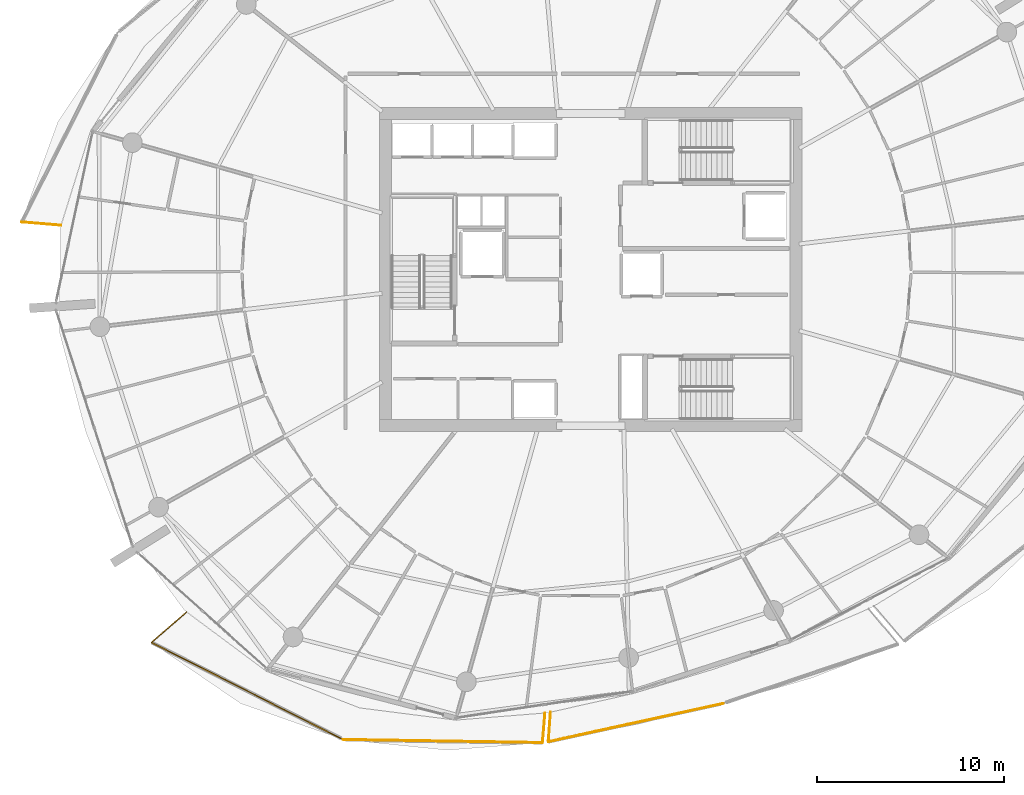
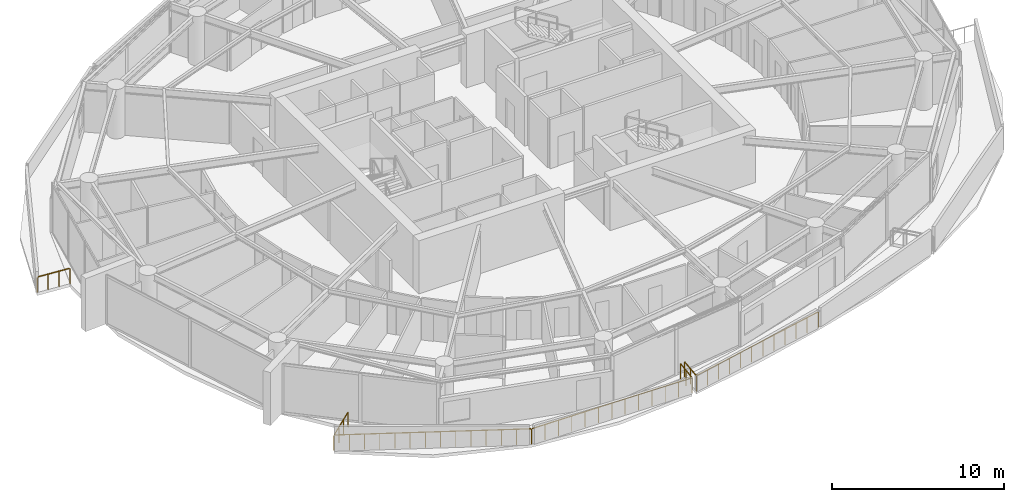
# One storey, part 17 of 21: 7 railings.
"""IFC4 building model written with IfcOpenShell, lengths in metres."""

from ifc_helpers import new_model, si_unit, direction, frame, origin, origin_2d, place, context, subcontext, project, spatial, rectangle, extrude, material, type_object, element, save


model = new_model("IFC4")

# Units and contexts
model_context = context("Model", 3, precision=1e-05, world=origin(), true_north=direction((0.0, 1.0)))
body_context = subcontext(model_context, "Body", "Model", "MODEL_VIEW")
ifc_project = project(units=[si_unit("LENGTHUNIT", "METRE"), si_unit("AREAUNIT", "SQUARE_METRE"), si_unit("VOLUMEUNIT", "CUBIC_METRE"), si_unit("PLANEANGLEUNIT", "RADIAN"), si_unit("MASSUNIT", "GRAM", prefix="KILO")], contexts=[model_context])

# Site, building, storey
site_placement = place(None, origin())
site = spatial("IfcSite", under=ifc_project, at=site_placement, CompositionType="ELEMENT")
building_placement = place(site_placement, origin())
building = spatial("IfcBuilding", under=site, at=building_placement, Name="Kazma Halo Residences", CompositionType="ELEMENT")
storey_placement = place(building_placement, frame((0.0, 0.0, 187.800048828125)))
storey = spatial("IfcBuildingStorey", under=building, at=storey_placement, Name="L47", CompositionType="ELEMENT", Elevation=187.800048828125)

# Railings
ifc_material = material(Name="Aluminium AW-6063 T6 Brushed Cap Rail", Category="aluminium")
railing_type = type_object("IfcRailingType", Name="RLG-BAL-CAP-1120", PredefinedType="BALUSTRADE", material=ifc_material)
railing_1_placement = place(storey_placement, frame((18.063720703125, 44.5400390625, 0.0)))
element("IfcRailing", 1, at=railing_1_placement, inside=storey, type_object=railing_type, Name="L47 NW wave balcony guard 4", PredefinedType="BALUSTRADE", context=body_context, shape_type="SweptSolid", body=[
    extrude(rectangle(XDim=0.050048828125, YDim=0.050048828125, at=origin_2d()), frame((0.04248046875, -0.003662109375, 1.09521484375), z_axis=(0.996425003257, -0.084482026989, 0.0), x_axis=(0.084482026989, 0.996425003257, 0.0)), (0.0, 0.0, 1.0), 2.0244140625),
    extrude(rectangle(XDim=0.0400390625, YDim=0.0400390625, at=origin_2d()), origin(), (0.0, 0.0, 1.0), 1.05810546875),
    extrude(rectangle(XDim=0.0400390625, YDim=0.0400390625, at=origin_2d()), frame((0.70068359375, -0.059326171875, 0.0)), (0.0, 0.0, 1.0), 1.05810546875),
    extrude(rectangle(XDim=0.0400390625, YDim=0.0400390625, at=origin_2d()), frame((1.4013671875, -0.118896484375, 0.0)), (0.0, 0.0, 1.0), 1.05810546875),
    extrude(rectangle(XDim=0.0400390625, YDim=0.0400390625, at=origin_2d()), frame((2.10205078125, -0.17822265625, 0.0)), (0.0, 0.0, 1.0), 1.05810546875),
])
railing_2_placement = place(storey_placement, frame((26.869873046875, 23.728759765625, 0.0)))
element("IfcRailing", 2, at=railing_2_placement, inside=storey, type_object=railing_type, Name="L47 SW wave balcony guard 1", PredefinedType="BALUSTRADE", context=body_context, shape_type="SweptSolid", body=[
    extrude(rectangle(XDim=0.050048828125, YDim=0.050048828125, at=origin_2d()), frame((-0.0322265625, -0.02783203125, 1.09521484375), z_axis=(-0.756442152352, -0.654060601279, 0.0), x_axis=(0.654060601279, -0.756442152352, 0.0)), (0.0, 0.0, 1.0), 2.39501953125),
    extrude(rectangle(XDim=0.0400390625, YDim=0.0400390625, at=origin_2d()), origin(), (0.0, 0.0, 1.0), 1.05810546875),
    extrude(rectangle(XDim=0.0400390625, YDim=0.0400390625, at=origin_2d()), frame((-0.625244140625, -0.540771484375, 0.0)), (0.0, 0.0, 1.0), 1.05810546875),
    extrude(rectangle(XDim=0.0400390625, YDim=0.0400390625, at=origin_2d()), frame((-1.250732421875, -1.081298828125, 0.0)), (0.0, 0.0, 1.0), 1.05810546875),
    extrude(rectangle(XDim=0.0400390625, YDim=0.0400390625, at=origin_2d()), frame((-1.8759765625, -1.6220703125, 0.0)), (0.0, 0.0, 1.0), 1.05810546875),
])
railing_3_placement = place(storey_placement, frame((24.993896484375, 22.106689453125, 0.0)))
element("IfcRailing", 3, at=railing_3_placement, inside=storey, type_object=railing_type, Name="L47 SW wave balcony guard 2", PredefinedType="BALUSTRADE", context=body_context, shape_type="SweptSolid", body=[
    extrude(rectangle(XDim=0.050048828125, YDim=0.050048828125, at=origin_2d()), frame((0.037841796875, -0.019287109375, 1.09521484375), z_axis=(0.892128917732, -0.451780913879, 0.0), x_axis=(0.451780913879, 0.892128917732, 0.0)), (0.0, 0.0, 1.0), 11.382080078125),
    extrude(rectangle(XDim=0.0400390625, YDim=0.0400390625, at=origin_2d()), origin(), (0.0, 0.0, 1.0), 1.05810546875),
    extrude(rectangle(XDim=0.0400390625, YDim=0.0400390625, at=origin_2d()), frame((0.786865234375, -0.3984375, 0.0)), (0.0, 0.0, 1.0), 1.05810546875),
    extrude(rectangle(XDim=0.0400390625, YDim=0.0400390625, at=origin_2d()), frame((1.573974609375, -0.797119140625, 0.0)), (0.0, 0.0, 1.0), 1.05810546875),
    extrude(rectangle(XDim=0.0400390625, YDim=0.0400390625, at=origin_2d()), frame((2.36083984375, -1.195556640625, 0.0)), (0.0, 0.0, 1.0), 1.05810546875),
    extrude(rectangle(XDim=0.0400390625, YDim=0.0400390625, at=origin_2d()), frame((3.147705078125, -1.593994140625, 0.0)), (0.0, 0.0, 1.0), 1.05810546875),
    extrude(rectangle(XDim=0.0400390625, YDim=0.0400390625, at=origin_2d()), frame((3.934814453125, -1.99267578125, 0.0)), (0.0, 0.0, 1.0), 1.05810546875),
    extrude(rectangle(XDim=0.0400390625, YDim=0.0400390625, at=origin_2d()), frame((4.7216796875, -2.39111328125, 0.0)), (0.0, 0.0, 1.0), 1.05810546875),
    extrude(rectangle(XDim=0.0400390625, YDim=0.0400390625, at=origin_2d()), frame((5.508544921875, -2.78955078125, 0.0)), (0.0, 0.0, 1.0), 1.05810546875),
    extrude(rectangle(XDim=0.0400390625, YDim=0.0400390625, at=origin_2d()), frame((6.29541015625, -3.18798828125, 0.0)), (0.0, 0.0, 1.0), 1.05810546875),
    extrude(rectangle(XDim=0.0400390625, YDim=0.0400390625, at=origin_2d()), frame((7.08251953125, -3.586669921875, 0.0)), (0.0, 0.0, 1.0), 1.05810546875),
    extrude(rectangle(XDim=0.0400390625, YDim=0.0400390625, at=origin_2d()), frame((7.869384765625, -3.985107421875, 0.0)), (0.0, 0.0, 1.0), 1.05810546875),
    extrude(rectangle(XDim=0.0400390625, YDim=0.0400390625, at=origin_2d()), frame((8.65625, -4.383544921875, 0.0)), (0.0, 0.0, 1.0), 1.05810546875),
    extrude(rectangle(XDim=0.0400390625, YDim=0.0400390625, at=origin_2d()), frame((9.443359375, -4.7822265625, 0.0)), (0.0, 0.0, 1.0), 1.05810546875),
    extrude(rectangle(XDim=0.0400390625, YDim=0.0400390625, at=origin_2d()), frame((10.230224609375, -5.1806640625, 0.0)), (0.0, 0.0, 1.0), 1.05810546875),
])
railing_4_placement = place(storey_placement, frame((35.22412109375, 16.926025390625, 0.0)))
element("IfcRailing", 4, at=railing_4_placement, inside=storey, type_object=railing_type, Name="L47 SW wave balcony guard 3", PredefinedType="BALUSTRADE", context=body_context, shape_type="SweptSolid", body=[
    extrude(rectangle(XDim=0.050048828125, YDim=0.050048828125, at=origin_2d()), frame((0.04248046875, -0.000732421875, 1.09521484375), z_axis=(0.999878880346, -0.015563567677, 0.0), x_axis=(0.015563567677, 0.999878880346, 0.0)), (0.0, 0.0, 1.0), 10.550537109375),
    extrude(rectangle(XDim=0.0400390625, YDim=0.0400390625, at=origin_2d()), origin(), (0.0, 0.0, 1.0), 1.05810546875),
    extrude(rectangle(XDim=0.0400390625, YDim=0.0400390625, at=origin_2d()), frame((0.88623046875, -0.013671875, 0.0)), (0.0, 0.0, 1.0), 1.05810546875),
    extrude(rectangle(XDim=0.0400390625, YDim=0.0400390625, at=origin_2d()), frame((1.7724609375, -0.027587890625, 0.0)), (0.0, 0.0, 1.0), 1.05810546875),
    extrude(rectangle(XDim=0.0400390625, YDim=0.0400390625, at=origin_2d()), frame((2.65869140625, -0.04150390625, 0.0)), (0.0, 0.0, 1.0), 1.05810546875),
    extrude(rectangle(XDim=0.0400390625, YDim=0.0400390625, at=origin_2d()), frame((3.544677734375, -0.05517578125, 0.0)), (0.0, 0.0, 1.0), 1.05810546875),
    extrude(rectangle(XDim=0.0400390625, YDim=0.0400390625, at=origin_2d()), frame((4.430908203125, -0.06884765625, 0.0)), (0.0, 0.0, 1.0), 1.05810546875),
    extrude(rectangle(XDim=0.0400390625, YDim=0.0400390625, at=origin_2d()), frame((5.317138671875, -0.082763671875, 0.0)), (0.0, 0.0, 1.0), 1.05810546875),
    extrude(rectangle(XDim=0.0400390625, YDim=0.0400390625, at=origin_2d()), frame((6.203369140625, -0.0966796875, 0.0)), (0.0, 0.0, 1.0), 1.05810546875),
    extrude(rectangle(XDim=0.0400390625, YDim=0.0400390625, at=origin_2d()), frame((7.089599609375, -0.1103515625, 0.0)), (0.0, 0.0, 1.0), 1.05810546875),
    extrude(rectangle(XDim=0.0400390625, YDim=0.0400390625, at=origin_2d()), frame((7.9755859375, -0.1240234375, 0.0)), (0.0, 0.0, 1.0), 1.05810546875),
    extrude(rectangle(XDim=0.0400390625, YDim=0.0400390625, at=origin_2d()), frame((8.86181640625, -0.137939453125, 0.0)), (0.0, 0.0, 1.0), 1.05810546875),
    extrude(rectangle(XDim=0.0400390625, YDim=0.0400390625, at=origin_2d()), frame((9.748046875, -0.15185546875, 0.0)), (0.0, 0.0, 1.0), 1.05810546875),
    extrude(rectangle(XDim=0.0400390625, YDim=0.0400390625, at=origin_2d()), frame((10.63427734375, -0.16552734375, 0.0)), (0.0, 0.0, 1.0), 1.05810546875),
])
railing_5_placement = place(storey_placement, frame((45.8583984375, 16.760498046875, 0.0)))
element("IfcRailing", 5, at=railing_5_placement, inside=storey, type_object=railing_type, Name="L47 SW wave balcony guard 4", PredefinedType="BALUSTRADE", context=body_context, shape_type="SweptSolid", body=[
    extrude(rectangle(XDim=0.050048828125, YDim=0.050048828125, at=origin_2d()), frame((0.003662109375, 0.04248046875, 1.09521484375), z_axis=(0.084647309245, 0.996410975972, 0.0), x_axis=(-0.996410975972, 0.084647309245, 0.0)), (0.0, 0.0, 1.0), 1.504150390625),
    extrude(rectangle(XDim=0.0400390625, YDim=0.0400390625, at=origin_2d()), origin(), (0.0, 0.0, 1.0), 1.05810546875),
    extrude(rectangle(XDim=0.0400390625, YDim=0.0400390625, at=origin_2d()), frame((0.0673828125, 0.791748046875, 0.0)), (0.0, 0.0, 1.0), 1.05810546875),
    extrude(rectangle(XDim=0.0400390625, YDim=0.0400390625, at=origin_2d()), frame((0.134521484375, 1.58349609375, 0.0)), (0.0, 0.0, 1.0), 1.05810546875),
])
railing_6_placement = place(storey_placement, frame((46.286865234375, 18.387939453125, 0.0)))
element("IfcRailing", 6, at=railing_6_placement, inside=storey, type_object=railing_type, Name="L47 SSE wave balcony guard 1", PredefinedType="BALUSTRADE", context=body_context, shape_type="SweptSolid", body=[
    extrude(rectangle(XDim=0.050048828125, YDim=0.050048828125, at=origin_2d()), frame((-0.003173828125, -0.04248046875, 1.09521484375), z_axis=(-0.07240752413, -0.997375130254, 0.0), x_axis=(0.997375130254, -0.07240752413, 0.0)), (0.0, 0.0, 1.0), 1.499755859375),
    extrude(rectangle(XDim=0.0400390625, YDim=0.0400390625, at=origin_2d()), origin(), (0.0, 0.0, 1.0), 1.05810546875),
    extrude(rectangle(XDim=0.0400390625, YDim=0.0400390625, at=origin_2d()), frame((-0.057373046875, -0.790283203125, 0.0)), (0.0, 0.0, 1.0), 1.05810546875),
    extrude(rectangle(XDim=0.0400390625, YDim=0.0400390625, at=origin_2d()), frame((-0.11474609375, -1.58056640625, 0.0)), (0.0, 0.0, 1.0), 1.05810546875),
])
railing_7_placement = place(storey_placement, frame((46.172119140625, 16.807373046875, 0.0)))
element("IfcRailing", 7, at=railing_7_placement, inside=storey, type_object=railing_type, Name="L47 SSE wave balcony guard 2", PredefinedType="BALUSTRADE", context=body_context, shape_type="SweptSolid", body=[
    extrude(rectangle(XDim=0.050048828125, YDim=0.050048828125, at=origin_2d()), frame((0.04150390625, 0.009033203125, 1.09521484375), z_axis=(0.976835730847, 0.213990548716, 0.0), x_axis=(-0.213990548716, 0.976835730847, 0.0)), (0.0, 0.0, 1.0), 9.484619140625),
    extrude(rectangle(XDim=0.0400390625, YDim=0.0400390625, at=origin_2d()), origin(), (0.0, 0.0, 1.0), 1.05810546875),
    extrude(rectangle(XDim=0.0400390625, YDim=0.0400390625, at=origin_2d()), frame((0.849853515625, 0.186279296875, 0.0)), (0.0, 0.0, 1.0), 1.05810546875),
    extrude(rectangle(XDim=0.0400390625, YDim=0.0400390625, at=origin_2d()), frame((1.69970703125, 0.372314453125, 0.0)), (0.0, 0.0, 1.0), 1.05810546875),
    extrude(rectangle(XDim=0.0400390625, YDim=0.0400390625, at=origin_2d()), frame((2.549560546875, 0.55859375, 0.0)), (0.0, 0.0, 1.0), 1.05810546875),
    extrude(rectangle(XDim=0.0400390625, YDim=0.0400390625, at=origin_2d()), frame((3.3994140625, 0.74462890625, 0.0)), (0.0, 0.0, 1.0), 1.05810546875),
    extrude(rectangle(XDim=0.0400390625, YDim=0.0400390625, at=origin_2d()), frame((4.249267578125, 0.930908203125, 0.0)), (0.0, 0.0, 1.0), 1.05810546875),
    extrude(rectangle(XDim=0.0400390625, YDim=0.0400390625, at=origin_2d()), frame((5.098876953125, 1.116943359375, 0.0)), (0.0, 0.0, 1.0), 1.05810546875),
    extrude(rectangle(XDim=0.0400390625, YDim=0.0400390625, at=origin_2d()), frame((5.94873046875, 1.30322265625, 0.0)), (0.0, 0.0, 1.0), 1.05810546875),
    extrude(rectangle(XDim=0.0400390625, YDim=0.0400390625, at=origin_2d()), frame((6.798583984375, 1.4892578125, 0.0)), (0.0, 0.0, 1.0), 1.05810546875),
    extrude(rectangle(XDim=0.0400390625, YDim=0.0400390625, at=origin_2d()), frame((7.6484375, 1.675537109375, 0.0)), (0.0, 0.0, 1.0), 1.05810546875),
    extrude(rectangle(XDim=0.0400390625, YDim=0.0400390625, at=origin_2d()), frame((8.498291015625, 1.861572265625, 0.0)), (0.0, 0.0, 1.0), 1.05810546875),
    extrude(rectangle(XDim=0.0400390625, YDim=0.0400390625, at=origin_2d()), frame((9.34814453125, 2.0478515625, 0.0)), (0.0, 0.0, 1.0), 1.05810546875),
])

save(model, "model.ifc")
